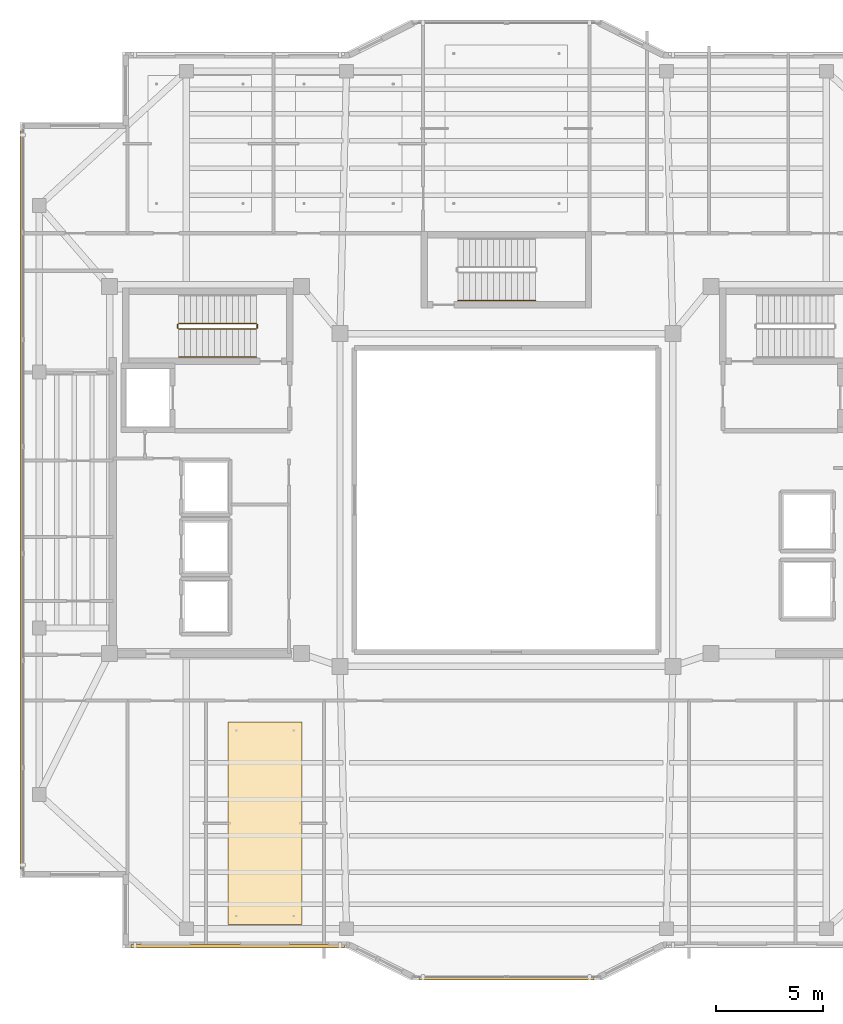
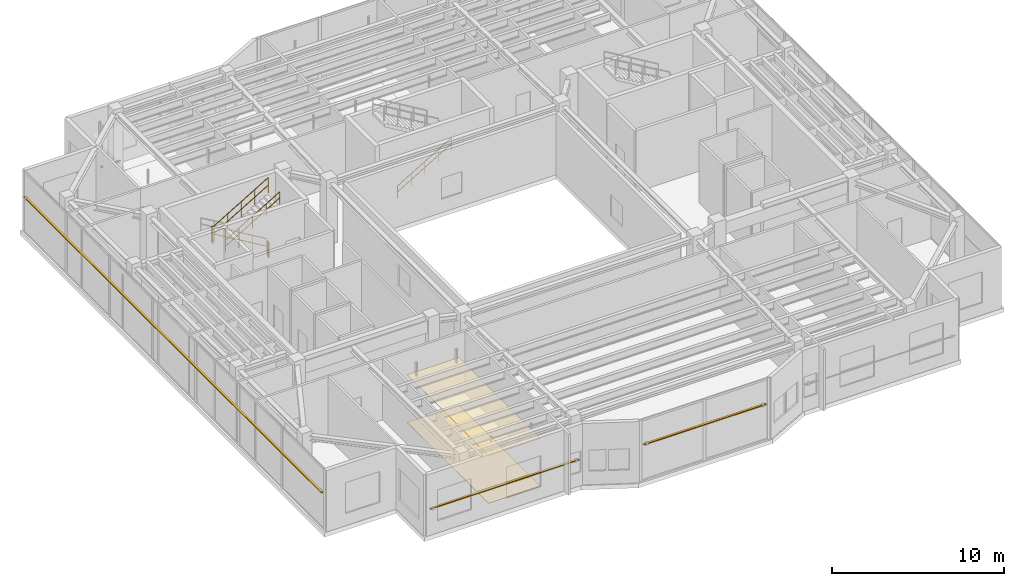
# One storey, part 23 of 25: 6 railings, 3 shading devices, 2 coverings.
"""IFC4 building model written with IfcOpenShell, lengths in metres."""

from ifc_helpers import new_model, si_unit, direction, frame, origin, origin_2d, place, context, subcontext, project, spatial, polyline, rectangle, circle, outline, extrude, material, layer, layer_set, material_profile, profile_set, type_object, element, save


model = new_model("IFC4")

# Units and contexts
model_context = context("Model", 3, precision=1e-05, world=origin(), true_north=direction((0.0, 1.0)))
body_context = subcontext(model_context, "Body", "Model", "MODEL_VIEW")
ifc_project = project(units=[si_unit("LENGTHUNIT", "METRE"), si_unit("AREAUNIT", "SQUARE_METRE"), si_unit("VOLUMEUNIT", "CUBIC_METRE"), si_unit("PLANEANGLEUNIT", "RADIAN"), si_unit("MASSUNIT", "GRAM", prefix="KILO")], contexts=[model_context])

# Site, building, storey
site_placement = place(None, origin())
site = spatial("IfcSite", under=ifc_project, at=site_placement, CompositionType="ELEMENT")
building_placement = place(site_placement, origin())
building = spatial("IfcBuilding", under=site, at=building_placement, Name="Tarnavaz Court Tower", CompositionType="ELEMENT")
storey_placement = place(building_placement, frame((0.0, 0.0, 271.64990234375)))
storey = spatial("IfcBuildingStorey", under=building, at=storey_placement, Name="L74", CompositionType="ELEMENT", Elevation=271.64990234375)

# Coverings
ifc_material_1 = material(Name="Perforated Gypsum Acoustic Ceiling Tile", Category="masonry")
ifc_layer_1 = layer(ifc_material_1, 0.02490234375)
ifc_layer_set_1 = layer_set([ifc_layer_1], Name="Perforated Gypsum Acoustic Ceiling Tile")
covering_type_1 = type_object("IfcCoveringType", Name="CV-CEIL-AC", PredefinedType="CEILING", material=ifc_layer_set_1)
covering_1_placement = place(storey_placement, frame((0.0, 0.0, 3.380126953125)))
element("IfcCovering", 1, at=covering_1_placement, inside=storey, type_object=covering_type_1, Name="L74 L74 South-West Study Room Suspended Acoustic Ceiling", PredefinedType="CEILING", context=body_context, shape_type="SweptSolid", body=[
    extrude(outline(polyline([(-13.06005859375, -19.89990234375), (-9.570068359375, -19.89990234375), (-9.570068359375, -10.409912109375), (-13.06005859375, -10.409912109375), (-13.06005859375, -19.89990234375)])), origin(), (0.0, 0.0, 1.0), 0.02490234375),
])
ifc_material_2 = material(Name="Glazed Khorasan Porcelain Floor Tile", Category="masonry")
ifc_layer_2 = layer(ifc_material_2, 0.02001953125)
ifc_layer_set_2 = layer_set([ifc_layer_2], Name="Glazed Khorasan Porcelain Floor Tile")
covering_type_2 = type_object("IfcCoveringType", Name="CV-FLR-PORC", PredefinedType="FLOORING", material=ifc_layer_set_2)
covering_2_placement = place(storey_placement, origin())
element("IfcCovering", 2, at=covering_2_placement, inside=storey, type_object=covering_type_2, Name="L74 L74 South-West Study Room Porcelain Floor Finish", PredefinedType="FLOORING", context=body_context, shape_type="SweptSolid", body=[
    extrude(outline(polyline([(-13.06005859375, -19.89990234375), (-9.570068359375, -19.89990234375), (-9.570068359375, -10.409912109375), (-13.06005859375, -10.409912109375), (-13.06005859375, -19.89990234375)])), origin(), (0.0, 0.0, 1.0), 0.02001953125),
])

# Railings
ifc_material_3 = material(Name="Brushed Stainless Steel", Category="steel")
railing_type_1 = type_object("IfcRailingType", Name="RL-HANDRAIL-900", PredefinedType="HANDRAIL", material=ifc_material_3)
for number, where, name in (
    (3, (-15.360107421875, 6.699951171875, 2.4912109375), "L74 ST-W1 stair handrail 2"),
    (4, (-2.280029296875, 9.35009765625, 0.166259765625), "L74 ST-N1 stair handrail 1"),
):
    element("IfcRailing", number, at=place(storey_placement, frame(where)), inside=storey, type_object=railing_type_1, Name=name, PredefinedType="HANDRAIL", context=body_context, shape_type="SweptSolid", body=[
        extrude(circle(Radius=0.02392578125, at=origin_2d()), frame((0.0, 0.0, 0.8759765625), z_axis=(0.860103130531, 0.0, 0.510120186672), x_axis=(0.0, 1.0, 0.0)), (0.0, 0.0, 1.0), 4.232177734375),
        extrude(circle(Radius=0.02392578125, at=origin_2d()), frame((0.0, 0.0, 0.449951171875), z_axis=(0.860103130531, 0.0, 0.510120186672), x_axis=(0.0, 1.0, 0.0)), (0.0, 0.0, 1.0), 4.232177734375),
        extrude(circle(Radius=0.02099609375, at=origin_2d()), origin(), (0.0, 0.0, 1.0), 0.851806640625),
        extrude(circle(Radius=0.02099609375, at=origin_2d()), frame((0.91015625, 0.0, 0.539794921875)), (0.0, 0.0, 1.0), 0.851806640625),
        extrude(circle(Radius=0.02099609375, at=origin_2d()), frame((1.820068359375, 0.0, 1.07958984375)), (0.0, 0.0, 1.0), 0.851806640625),
        extrude(circle(Radius=0.02099609375, at=origin_2d()), frame((2.72998046875, 0.0, 1.619140625)), (0.0, 0.0, 1.0), 0.851806640625),
        extrude(circle(Radius=0.02099609375, at=origin_2d()), frame((3.64013671875, 0.0, 2.158935546875)), (0.0, 0.0, 1.0), 0.851806640625),
    ])
ifc_material_4 = material(Name="Galvanized Painted Tubular Steel", Category="steel")
railing_type_2 = type_object("IfcRailingType", Name="RL-STGUARD-1120", PredefinedType="GUARDRAIL", material=ifc_material_4)
railing_1_placement = place(storey_placement, frame((-11.719970703125, 8.27001953125, 0.166259765625)))
element("IfcRailing", 5, at=railing_1_placement, inside=storey, type_object=railing_type_2, Name="L74 ST-W1 stair guard 1", PredefinedType="GUARDRAIL", context=body_context, shape_type="SweptSolid", body=[
    extrude(circle(Radius=0.02392578125, at=origin_2d()), frame((0.0, 0.0, 1.09619140625), z_axis=(-0.860103130531, 0.0, 0.510120186672), x_axis=(0.0, -1.0, 0.0)), (0.0, 0.0, 1.0), 4.232177734375),
    extrude(circle(Radius=0.02392578125, at=origin_2d()), frame((0.0, 0.0, 0.56005859375), z_axis=(-0.860103130531, 0.0, 0.510120186672), x_axis=(0.0, -1.0, 0.0)), (0.0, 0.0, 1.0), 4.232177734375),
    extrude(circle(Radius=0.02099609375, at=origin_2d()), origin(), (0.0, 0.0, 1.0), 1.072021484375),
    extrude(circle(Radius=0.02099609375, at=origin_2d()), frame((-0.91015625, 0.0, 0.539794921875)), (0.0, 0.0, 1.0), 1.072021484375),
    extrude(circle(Radius=0.02099609375, at=origin_2d()), frame((-1.820068359375, 0.0, 1.07958984375)), (0.0, 0.0, 1.0), 1.072021484375),
    extrude(circle(Radius=0.02099609375, at=origin_2d()), frame((-2.72998046875, 0.0, 1.619140625)), (0.0, 0.0, 1.0), 1.072021484375),
    extrude(circle(Radius=0.02099609375, at=origin_2d()), frame((-3.64013671875, 0.0, 2.158935546875)), (0.0, 0.0, 1.0), 1.072021484375),
])
railing_2_placement = place(storey_placement, frame((-15.409912109375, 8.219970703125, 2.3251953125)))
element("IfcRailing", 6, at=railing_2_placement, inside=storey, type_object=railing_type_2, Name="L74 ST-W1 stair guard 2", PredefinedType="GUARDRAIL", context=body_context, shape_type="SweptSolid", body=[
    extrude(circle(Radius=0.02392578125, at=origin_2d()), frame((0.0, 0.0, 1.09619140625), z_axis=(0.0, -1.0, 0.0), x_axis=(1.0, 0.0, 0.0)), (0.0, 0.0, 1.0), 0.14990234375),
    extrude(circle(Radius=0.02392578125, at=origin_2d()), frame((0.0, 0.0, 0.56005859375), z_axis=(0.0, -1.0, 0.0), x_axis=(1.0, 0.0, 0.0)), (0.0, 0.0, 1.0), 0.14990234375),
    extrude(circle(Radius=0.02099609375, at=origin_2d()), origin(), (0.0, 0.0, 1.0), 1.072021484375),
    extrude(circle(Radius=0.02099609375, at=origin_2d()), frame((0.0, -0.14990234375, 0.0)), (0.0, 0.0, 1.0), 1.072021484375),
])
railing_3_placement = place(storey_placement, frame((-15.360107421875, 8.02001953125, 2.4912109375)))
element("IfcRailing", 7, at=railing_3_placement, inside=storey, type_object=railing_type_2, Name="L74 ST-W1 stair guard 3", PredefinedType="GUARDRAIL", context=body_context, shape_type="SweptSolid", body=[
    extrude(circle(Radius=0.02392578125, at=origin_2d()), frame((0.0, 0.0, 1.09619140625), z_axis=(0.860103130531, 0.0, 0.510120186672), x_axis=(0.0, 1.0, 0.0)), (0.0, 0.0, 1.0), 4.232177734375),
    extrude(circle(Radius=0.02392578125, at=origin_2d()), frame((0.0, 0.0, 0.56005859375), z_axis=(0.860103130531, 0.0, 0.510120186672), x_axis=(0.0, 1.0, 0.0)), (0.0, 0.0, 1.0), 4.232177734375),
    extrude(circle(Radius=0.02099609375, at=origin_2d()), origin(), (0.0, 0.0, 1.0), 1.072021484375),
    extrude(circle(Radius=0.02099609375, at=origin_2d()), frame((0.91015625, 0.0, 0.539794921875)), (0.0, 0.0, 1.0), 1.072021484375),
    extrude(circle(Radius=0.02099609375, at=origin_2d()), frame((1.820068359375, 0.0, 1.07958984375)), (0.0, 0.0, 1.0), 1.072021484375),
    extrude(circle(Radius=0.02099609375, at=origin_2d()), frame((2.72998046875, 0.0, 1.619140625)), (0.0, 0.0, 1.0), 1.072021484375),
    extrude(circle(Radius=0.02099609375, at=origin_2d()), frame((3.64013671875, 0.0, 2.158935546875)), (0.0, 0.0, 1.0), 1.072021484375),
])
railing_4_placement = place(storey_placement, frame((-11.669921875, 8.219970703125, 0.0)))
element("IfcRailing", 8, at=railing_4_placement, inside=storey, type_object=railing_type_2, Name="L74 ST-W1 stair guard 4", PredefinedType="GUARDRAIL", context=body_context, shape_type="SweptSolid", body=[
    extrude(circle(Radius=0.02392578125, at=origin_2d()), frame((0.0, 0.0, 1.09619140625), z_axis=(0.0, -1.0, 0.0), x_axis=(1.0, 0.0, 0.0)), (0.0, 0.0, 1.0), 0.14990234375),
    extrude(circle(Radius=0.02392578125, at=origin_2d()), frame((0.0, 0.0, 0.56005859375), z_axis=(0.0, -1.0, 0.0), x_axis=(1.0, 0.0, 0.0)), (0.0, 0.0, 1.0), 0.14990234375),
    extrude(circle(Radius=0.02099609375, at=origin_2d()), origin(), (0.0, 0.0, 1.0), 1.072021484375),
    extrude(circle(Radius=0.02099609375, at=origin_2d()), frame((0.0, -0.14990234375, 0.0)), (0.0, 0.0, 1.0), 1.072021484375),
])

# Shading devices
ifc_material_5 = material(Name="Kiln-Fired Khorasan Terracotta Ceramic", Category="masonry")
ifc_material_profile = material_profile(ifc_material_5, rectangle(XDim=0.14990234375, YDim=0.06494140625, at=origin_2d()), Name="TC BAGUETTE 150X65")
ifc_profile_set = profile_set([ifc_material_profile], Name="Kiln-Fired Khorasan Terracotta Ceramic")
shading_device_type = type_object("IfcShadingDeviceType", Name="SD-BAG-150", PredefinedType="USERDEFINED", material=ifc_profile_set)
shading_device_1_placement = place(storey_placement, frame((-22.7099609375, -17.300048828125, 2.60009765625), z_axis=(0.0, 1.0, 0.0), x_axis=(-1.0, 0.0, 0.0)))
element("IfcShadingDevice", 9, at=shading_device_1_placement, inside=storey, type_object=shading_device_type, Name="L74 Terracotta Baguette Screen OBG2", ObjectType="BAGUETTE", PredefinedType="USERDEFINED", context=body_context, shape_type="SweptSolid", body=[
    extrude(rectangle(XDim=0.14990234375, YDim=0.06494140625, at=origin_2d()), origin(), (0.0, 0.0, 1.0), 34.60009765625),
])
shading_device_2_placement = place(storey_placement, frame((4.10009765625, -22.409912109375, 2.60009765625), z_axis=(-1.0, 0.0, 0.0), x_axis=(0.0, -1.0, 0.0)))
element("IfcShadingDevice", 10, at=shading_device_2_placement, inside=storey, type_object=shading_device_type, Name="L74 Terracotta Baguette Screen OBG17", ObjectType="BAGUETTE", PredefinedType="USERDEFINED", context=body_context, shape_type="SweptSolid", body=[
    extrude(rectangle(XDim=0.14990234375, YDim=0.06494140625, at=origin_2d()), origin(), (0.0, 0.0, 1.0), 8.2001953125),
])
shading_device_3_placement = place(storey_placement, frame((-7.60009765625, -20.909912109375, 1.85009765625), z_axis=(-1.0, 0.0, 0.0), x_axis=(0.0, -1.0, 0.0)))
element("IfcShadingDevice", 11, at=shading_device_3_placement, inside=storey, type_object=shading_device_type, Name="L74 Terracotta Baguette Screen FBG19", ObjectType="BAGUETTE", PredefinedType="USERDEFINED", context=body_context, shape_type="SweptSolid", body=[
    extrude(rectangle(XDim=0.14990234375, YDim=0.06494140625, at=origin_2d()), origin(), (0.0, 0.0, 1.0), 10.0),
])

save(model, "model.ifc")
